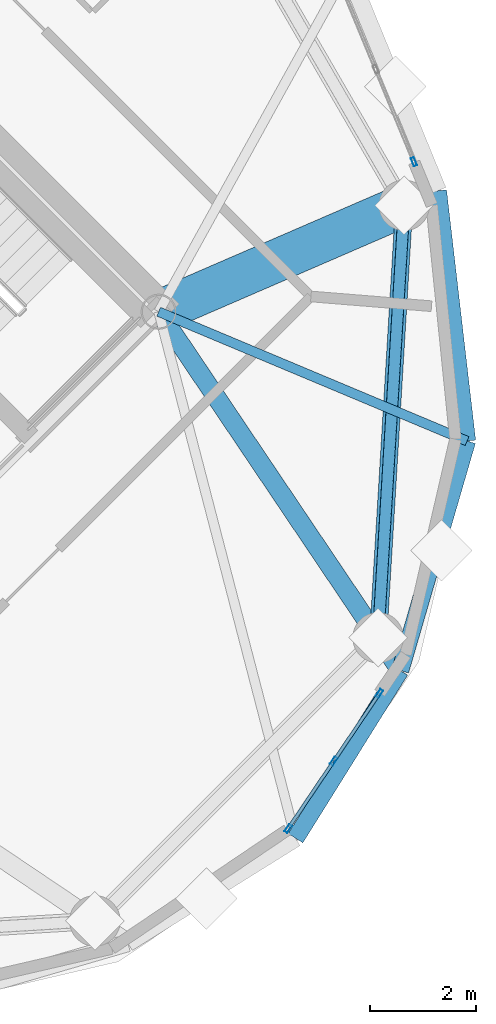
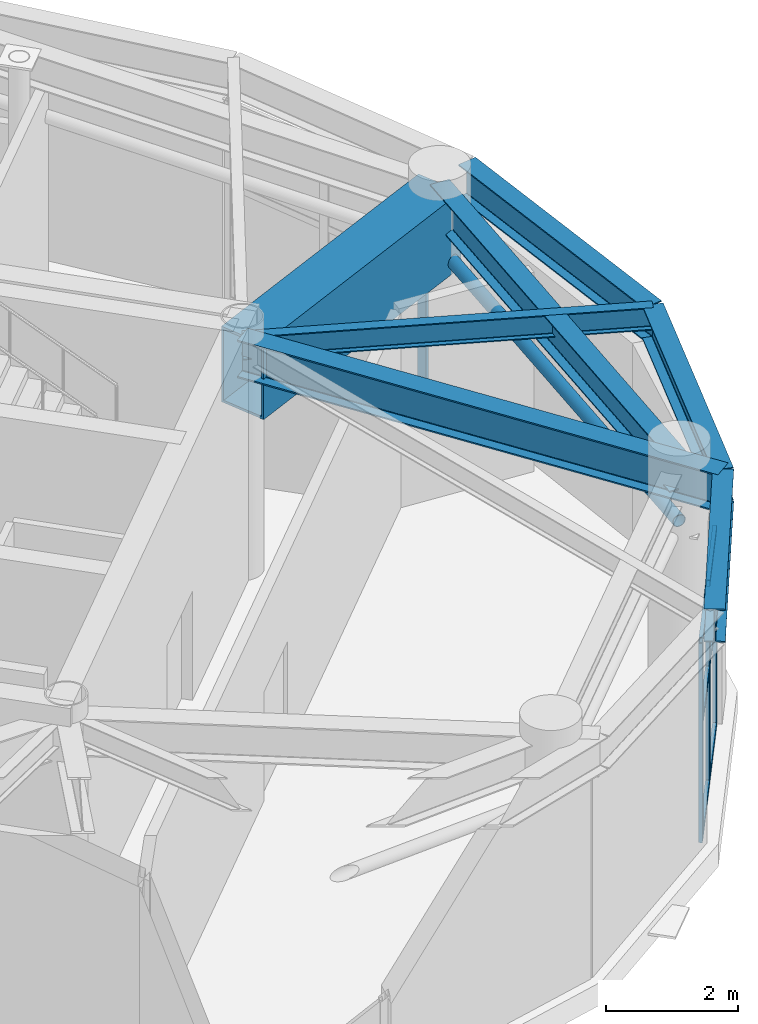
# One storey, part 19 of 28: 11 members, 7 beams, 2 elements without a shape of their own.
"""IFC4 building model written with IfcOpenShell, lengths in metres."""

from ifc_helpers import new_model, si_unit, direction, frame, origin, origin_2d, place, context, subcontext, project, spatial, hollow_rectangle, hollow_circle, i_section, extrude, material, layer, layer_set, material_profile, profile_set, type_object, element, aggregate, save


model = new_model("IFC4")

# Units and contexts
model_context = context("Model", 3, precision=1e-05, world=origin(), true_north=direction((0.0, 1.0)))
body_context = subcontext(model_context, "Body", "Model", "MODEL_VIEW")
ifc_project = project(units=[si_unit("LENGTHUNIT", "METRE"), si_unit("AREAUNIT", "SQUARE_METRE"), si_unit("VOLUMEUNIT", "CUBIC_METRE"), si_unit("PLANEANGLEUNIT", "RADIAN"), si_unit("MASSUNIT", "GRAM", prefix="KILO")], contexts=[model_context])

# Site, building, storey
site_placement = place(None, origin())
site = spatial("IfcSite", under=ifc_project, at=site_placement, CompositionType="ELEMENT")
building_placement = place(site_placement, origin())
building = spatial("IfcBuilding", under=site, at=building_placement, Name="Cununo Teusaquillo Station Towers", CompositionType="ELEMENT")
storey_placement = place(building_placement, frame((0.0, 0.0, 235.64990234375)))
storey = spatial("IfcBuildingStorey", under=building, at=storey_placement, Name="L75", CompositionType="ELEMENT", Elevation=235.64990234375)

# Beams
ifc_material_1 = material(Name="Steel ASTM A572 Grade 50", Category="steel")
ifc_material_profile_1 = material_profile(ifc_material_1, i_section(OverallWidth=0.180908203125, OverallDepth=0.4169921875, WebThickness=0.010986328125, FlangeThickness=0.018310546875, FilletRadius=0.012939453125, at=origin_2d()), Name="W16X57")
ifc_profile_set_1 = profile_set([ifc_material_profile_1], Name="Steel ASTM A572 Grade 50")
beam_type_1 = type_object("IfcBeamType", Name="BM-JOIST-1", PredefinedType="JOIST", material=ifc_profile_set_1)
beam_1_placement = place(storey_placement, frame((66.024169921875, 23.29443359375, 4.131591796875), z_axis=(0.922169338565, -0.386786389381, 0.0), x_axis=(0.386786389381, 0.922169338565, 0.0)))
element("IfcBeam", 1, at=beam_1_placement, inside=storey, type_object=beam_type_1, Name="L75 Tower B Radial Spandrel Joist V17", PredefinedType="JOIST", context=body_context, shape_type="SweptSolid", body=[
    extrude(i_section(OverallWidth=0.180908203125, OverallDepth=0.4169921875, WebThickness=0.010986328125, FlangeThickness=0.018310546875, FilletRadius=0.012939453125, at=origin_2d()), origin(), (0.0, 0.0, 1.0), 6.281005859375),
])
ifc_material_2 = material(Name="Steel ASTM A572 Grade 50", Category="steel")
ifc_material_profile_2 = material_profile(ifc_material_2, i_section(OverallWidth=0.35498046875, OverallDepth=0.696044921875, WebThickness=0.015380859375, FlangeThickness=0.02490234375, FilletRadius=0.01806640625, at=origin_2d()), Name="W27X146")
ifc_profile_set_2 = profile_set([ifc_material_profile_2], Name="Steel ASTM A572 Grade 50")
beam_type_2 = type_object("IfcBeamType", Name="BM-PLNT-G1", PredefinedType="BEAM", material=ifc_profile_set_2)
beam_2_placement = place(storey_placement, frame((66.024169921875, 23.29443359375, 3.9921875), z_axis=(0.558570844079, -0.829456817529, 0.0), x_axis=(0.829456817529, 0.558570844079, 0.0)))
element("IfcBeam", 2, at=beam_2_placement, inside=storey, type_object=beam_type_2, Name="L75 Tower B Continuous Overhanging Radial Girder 09", PredefinedType="BEAM", context=body_context, shape_type="SweptSolid", body=[
    extrude(i_section(OverallWidth=0.35498046875, OverallDepth=0.696044921875, WebThickness=0.015380859375, FlangeThickness=0.02490234375, FilletRadius=0.01806640625, at=origin_2d()), origin(), (0.0, 0.0, 1.0), 8.1240234375),
])
ifc_material_3 = material(Name="Steel ASTM A572 Grade 50", Category="steel")
ifc_material_profile_3 = material_profile(ifc_material_3, i_section(OverallWidth=0.324951171875, OverallDepth=0.615966796875, WebThickness=0.013916015625, FlangeThickness=0.021484375, FilletRadius=0.01611328125, at=origin_2d()), Name="W24X117")
ifc_profile_set_3 = profile_set([ifc_material_profile_3], Name="Steel ASTM A572 Grade 50")
beam_type_3 = type_object("IfcBeamType", Name="BM-PLNT-G2", PredefinedType="BEAM", material=ifc_profile_set_3)
beam_3_placement = place(storey_placement, frame((70.146240234375, 17.173095703125, 4.031982421875), z_axis=(0.06012979176, 0.998190567048, 0.0), x_axis=(-0.998190567048, 0.06012979176, 0.0)))
element("IfcBeam", 3, at=beam_3_placement, inside=storey, type_object=beam_type_3, Name="L75 Tower B Structural Column Ring Girder 09", PredefinedType="BEAM", context=body_context, shape_type="SweptSolid", body=[
    extrude(i_section(OverallWidth=0.324951171875, OverallDepth=0.615966796875, WebThickness=0.013916015625, FlangeThickness=0.021484375, FilletRadius=0.01611328125, at=origin_2d()), origin(), (0.0, 0.0, 1.0), 8.132568359375),
])
beam_4_placement = place(storey_placement, frame((68.594482421875, 13.405517578125, 4.031982421875), z_axis=(0.529715312739, 0.848175505099, 0.0), x_axis=(-0.848175505099, 0.529715312739, 0.0)))
element("IfcBeam", 4, at=beam_4_placement, inside=storey, type_object=beam_type_3, Name="L75 Tower B Spandrel Ring Beam 16", PredefinedType="BEAM", context=body_context, shape_type="SweptSolid", body=[
    extrude(i_section(OverallWidth=0.324951171875, OverallDepth=0.615966796875, WebThickness=0.013916015625, FlangeThickness=0.021484375, FilletRadius=0.01611328125, at=origin_2d()), origin(), (0.0, 0.0, 1.0), 3.71435546875),
])
beam_5_placement = place(storey_placement, frame((70.56201171875, 16.555908203125, 4.031982421875), z_axis=(0.279502797802, 0.96014487762, 0.0), x_axis=(-0.96014487762, 0.279502797802, 0.0)))
element("IfcBeam", 5, at=beam_5_placement, inside=storey, type_object=beam_type_3, Name="L75 Tower B Spandrel Ring Beam 17", PredefinedType="BEAM", context=body_context, shape_type="SweptSolid", body=[
    extrude(i_section(OverallWidth=0.324951171875, OverallDepth=0.615966796875, WebThickness=0.013916015625, FlangeThickness=0.021484375, FilletRadius=0.01611328125, at=origin_2d()), origin(), (0.0, 0.0, 1.0), 4.488037109375),
])
beam_6_placement = place(storey_placement, frame((71.81640625, 20.864990234375, 4.031982421875), z_axis=(-0.115452326356, 0.993313022334, 0.0), x_axis=(-0.993313022334, -0.115452326356, 0.0)))
element("IfcBeam", 6, at=beam_6_placement, inside=storey, type_object=beam_type_3, Name="L75 Tower B Spandrel Ring Beam 18", PredefinedType="BEAM", context=body_context, shape_type="SweptSolid", body=[
    extrude(i_section(OverallWidth=0.324951171875, OverallDepth=0.615966796875, WebThickness=0.013916015625, FlangeThickness=0.021484375, FilletRadius=0.01611328125, at=origin_2d()), origin(), (0.0, 0.0, 1.0), 4.732666015625),
])
ifc_material_4 = material(Name="Steel ASTM A572 Grade 50", Category="steel")
ifc_material_profile_4 = material_profile(ifc_material_4, hollow_rectangle(XDim=0.800048828125, YDim=1.39990234375, WallThickness=0.044921875, at=origin_2d()), Name="BOX 1400x800x45")
ifc_profile_set_4 = profile_set([ifc_material_profile_4], Name="Steel ASTM A572 Grade 50")
beam_type_4 = type_object("IfcBeamType", Name="BM-XFER-SEC", PredefinedType="USERDEFINED", material=ifc_profile_set_4)
beam_7_placement = place(storey_placement, frame((66.024169921875, 23.29443359375, 3.6201171875), z_axis=(0.917668443616, 0.397346986387, 0.0), x_axis=(-0.397346986387, 0.917668443616, 0.0)))
element("IfcBeam", 7, at=beam_7_placement, inside=storey, type_object=beam_type_4, Name="L75 Tower B TMD Overhead Suspension Girder 2", ObjectType="TRANSFER GIRDER", PredefinedType="USERDEFINED", context=body_context, shape_type="SweptSolid", body=[
    extrude(hollow_rectangle(XDim=0.800048828125, YDim=1.39990234375, WallThickness=0.044921875, at=origin_2d()), origin(), (0.0, 0.0, 1.0), 5.02490234375),
])

# Curtain wall, members
ifc_material_5 = material(Name="Ceramic-fritted dark low-E double glazing", Category="glass")
ifc_layer = layer(ifc_material_5, 0.179931640625)
ifc_layer_set = layer_set([ifc_layer], Name="Ceramic-fritted dark low-E double glazing")
curtain_wall_type = type_object("IfcCurtainWallType", Name="CW-SYS-08", PredefinedType="USERDEFINED", material=ifc_layer_set)
curtain_wall_1_placement = place(storey_placement, origin())
curtain_wall_1 = element("IfcCurtainWall", 8, at=curtain_wall_1_placement, inside=storey, type_object=curtain_wall_type, Name="L75 Tower B Crown Drum Glazed Screen C15", ObjectType="FRITTED GLAZING", PredefinedType="USERDEFINED")
ifc_material_6 = material(Name="Anodised dark bronze aluminium EN AW-6063-T6", Category="aluminium")
ifc_material_profile_5 = material_profile(ifc_material_6, hollow_rectangle(XDim=0.06494140625, YDim=0.159912109375, WallThickness=0.00390625, at=origin_2d()), Name="CW-MULL-65x160")
ifc_profile_set_5 = profile_set([ifc_material_profile_5], Name="Anodised dark bronze aluminium EN AW-6063-T6")
member_type_1 = type_object("IfcMemberType", Name="CWM-160", PredefinedType="MULLION", material=ifc_profile_set_5)
member_1_placement = place(storey_placement, frame((70.16943359375, 16.124755859375, 0.0), z_axis=(0.0, 0.0, 1.0), x_axis=(0.82882716121, -0.559504724592, 0.0)))
member_1 = element("IfcMember", 9, at=member_1_placement, type_object=member_type_1, Name="CW-08 mullion 1", PredefinedType="MULLION", context=body_context, shape_type="SweptSolid", body=[
    extrude(hollow_rectangle(XDim=0.06494140625, YDim=0.159912109375, WallThickness=0.00390625, at=origin_2d()), origin(), (0.0, 0.0, 1.0), 3.696044921875),
])
member_2_placement = place(storey_placement, frame((69.313232421875, 14.8564453125, 0.0), z_axis=(0.0, 0.0, 1.0), x_axis=(0.82882716121, -0.559504724592, 0.0)))
member_2 = element("IfcMember", 10, at=member_2_placement, type_object=member_type_1, Name="CW-08 mullion 2", PredefinedType="MULLION", context=body_context, shape_type="SweptSolid", body=[
    extrude(hollow_rectangle(XDim=0.06494140625, YDim=0.159912109375, WallThickness=0.00390625, at=origin_2d()), origin(), (0.0, 0.0, 1.0), 3.696044921875),
])
member_3_placement = place(storey_placement, frame((68.45703125, 13.588134765625, 0.0), z_axis=(0.0, 0.0, 1.0), x_axis=(0.82882716121, -0.559504724592, 0.0)))
member_3 = element("IfcMember", 11, at=member_3_placement, type_object=member_type_1, Name="CW-08 mullion 3", PredefinedType="MULLION", context=body_context, shape_type="SweptSolid", body=[
    extrude(hollow_rectangle(XDim=0.06494140625, YDim=0.159912109375, WallThickness=0.00390625, at=origin_2d()), origin(), (0.0, 0.0, 1.0), 3.696044921875),
])

# Curtain wall, member
curtain_wall_2_placement = place(storey_placement, origin())
curtain_wall_2 = element("IfcCurtainWall", 12, at=curtain_wall_2_placement, inside=storey, type_object=curtain_wall_type, Name="L75 Tower B Crown Drum Glazed Screen C18", ObjectType="FRITTED GLAZING", PredefinedType="USERDEFINED")
member_4_placement = place(storey_placement, frame((70.818359375, 26.111328125, 0.0), z_axis=(0.0, 0.0, 1.0), x_axis=(0.924447019904, 0.381310513086, 0.0)))
member_4 = element("IfcMember", 13, at=member_4_placement, type_object=member_type_1, Name="CW-08 mullion 3", PredefinedType="MULLION", context=body_context, shape_type="SweptSolid", body=[
    extrude(hollow_rectangle(XDim=0.06494140625, YDim=0.159912109375, WallThickness=0.00390625, at=origin_2d()), origin(), (0.0, 0.0, 1.0), 3.696044921875),
])
aggregate(curtain_wall_2, [member_4])

# Member
ifc_material_7 = material(Name="Anodised dark bronze aluminium EN AW-6063-T6", Category="aluminium")
ifc_material_profile_6 = material_profile(ifc_material_7, hollow_rectangle(XDim=0.06494140625, YDim=0.1201171875, WallThickness=0.00390625, at=origin_2d()), Name="CW-TRAN-65x120")
ifc_profile_set_6 = profile_set([ifc_material_profile_6], Name="Anodised dark bronze aluminium EN AW-6063-T6")
member_type_2 = type_object("IfcMemberType", Name="CWT-120", PredefinedType="USERDEFINED", material=ifc_profile_set_6)
member_5_placement = place(storey_placement, frame((70.1513671875, 16.097900390625, 0.03271484375), z_axis=(-0.559458547946, -0.828858331158, 0.0), x_axis=(0.828858331158, -0.559458547946, 0.0)))
member_5 = element("IfcMember", 14, at=member_5_placement, type_object=member_type_2, Name="CW-08 transom 1.1", ObjectType="TRANSOM", PredefinedType="USERDEFINED", context=body_context, shape_type="SweptSolid", body=[
    extrude(hollow_rectangle(XDim=0.06494140625, YDim=0.1201171875, WallThickness=0.00390625, at=origin_2d()), origin(), (0.0, 0.0, 1.0), 1.46533203125),
])

member_6_placement = place(storey_placement, frame((70.1513671875, 16.097900390625, 2.150146484375), z_axis=(-0.559458547946, -0.828858331158, 0.0), x_axis=(0.828858331158, -0.559458547946, 0.0)))
member_6 = element("IfcMember", 15, at=member_6_placement, type_object=member_type_2, Name="CW-08 transom 1.2", ObjectType="TRANSOM", PredefinedType="USERDEFINED", context=body_context, shape_type="SweptSolid", body=[
    extrude(hollow_rectangle(XDim=0.06494140625, YDim=0.1201171875, WallThickness=0.00390625, at=origin_2d()), origin(), (0.0, 0.0, 1.0), 1.46533203125),
])

member_7_placement = place(storey_placement, frame((70.1513671875, 16.097900390625, 3.66357421875), z_axis=(-0.559458547946, -0.828858331158, 0.0), x_axis=(0.828858331158, -0.559458547946, 0.0)))
member_7 = element("IfcMember", 16, at=member_7_placement, type_object=member_type_2, Name="CW-08 transom 1.3", ObjectType="TRANSOM", PredefinedType="USERDEFINED", context=body_context, shape_type="SweptSolid", body=[
    extrude(hollow_rectangle(XDim=0.06494140625, YDim=0.1201171875, WallThickness=0.00390625, at=origin_2d()), origin(), (0.0, 0.0, 1.0), 1.46533203125),
])

member_8_placement = place(storey_placement, frame((69.295166015625, 14.829345703125, 0.03271484375), z_axis=(-0.559535812758, -0.828806174109, 0.0), x_axis=(0.828806174109, -0.559535812758, 0.0)))
member_8 = element("IfcMember", 17, at=member_8_placement, type_object=member_type_2, Name="CW-08 transom 2.1", ObjectType="TRANSOM", PredefinedType="USERDEFINED", context=body_context, shape_type="SweptSolid", body=[
    extrude(hollow_rectangle(XDim=0.06494140625, YDim=0.1201171875, WallThickness=0.00390625, at=origin_2d()), origin(), (0.0, 0.0, 1.0), 1.465087890625),
])

member_9_placement = place(storey_placement, frame((69.295166015625, 14.829345703125, 2.150146484375), z_axis=(-0.559535812758, -0.828806174109, 0.0), x_axis=(0.828806174109, -0.559535812758, 0.0)))
member_9 = element("IfcMember", 18, at=member_9_placement, type_object=member_type_2, Name="CW-08 transom 2.2", ObjectType="TRANSOM", PredefinedType="USERDEFINED", context=body_context, shape_type="SweptSolid", body=[
    extrude(hollow_rectangle(XDim=0.06494140625, YDim=0.1201171875, WallThickness=0.00390625, at=origin_2d()), origin(), (0.0, 0.0, 1.0), 1.465087890625),
])

member_10_placement = place(storey_placement, frame((69.295166015625, 14.829345703125, 3.66357421875), z_axis=(-0.559535812758, -0.828806174109, 0.0), x_axis=(0.828806174109, -0.559535812758, 0.0)))
member_10 = element("IfcMember", 19, at=member_10_placement, type_object=member_type_2, Name="CW-08 transom 2.3", ObjectType="TRANSOM", PredefinedType="USERDEFINED", context=body_context, shape_type="SweptSolid", body=[
    extrude(hollow_rectangle(XDim=0.06494140625, YDim=0.1201171875, WallThickness=0.00390625, at=origin_2d()), origin(), (0.0, 0.0, 1.0), 1.465087890625),
])

aggregate(curtain_wall_1, [member_1, member_2, member_3, member_5, member_6, member_7, member_8, member_9, member_10])

ifc_material_8 = material(Name="Steel EN 10025-2 S355J2", Category="steel")
ifc_material_profile_7 = material_profile(ifc_material_8, hollow_circle(Radius=0.109619140625, WallThickness=0.010009765625, at=origin_2d()), Name="CHS 219x10")
ifc_profile_set_7 = profile_set([ifc_material_profile_7], Name="Steel EN 10025-2 S355J2")
member_type_3 = type_object("IfcMemberType", Name="MBR-DRUM-COL", PredefinedType="COLLAR", material=ifc_profile_set_7)
member_11_placement = place(storey_placement, frame((70.146240234375, 17.173095703125, 3.150146484375), z_axis=(0.06012979176, 0.998190567048, 0.0), x_axis=(-0.998190567048, 0.06012979176, 0.0)))
element("IfcMember", 20, at=member_11_placement, inside=storey, type_object=member_type_3, Name="L75 Tower B Crown Drum Collar 09", PredefinedType="COLLAR", context=body_context, shape_type="SweptSolid", body=[
    extrude(hollow_circle(Radius=0.109619140625, WallThickness=0.010009765625, at=origin_2d()), origin(), (0.0, 0.0, 1.0), 8.132568359375),
])

save(model, "model.ifc")
